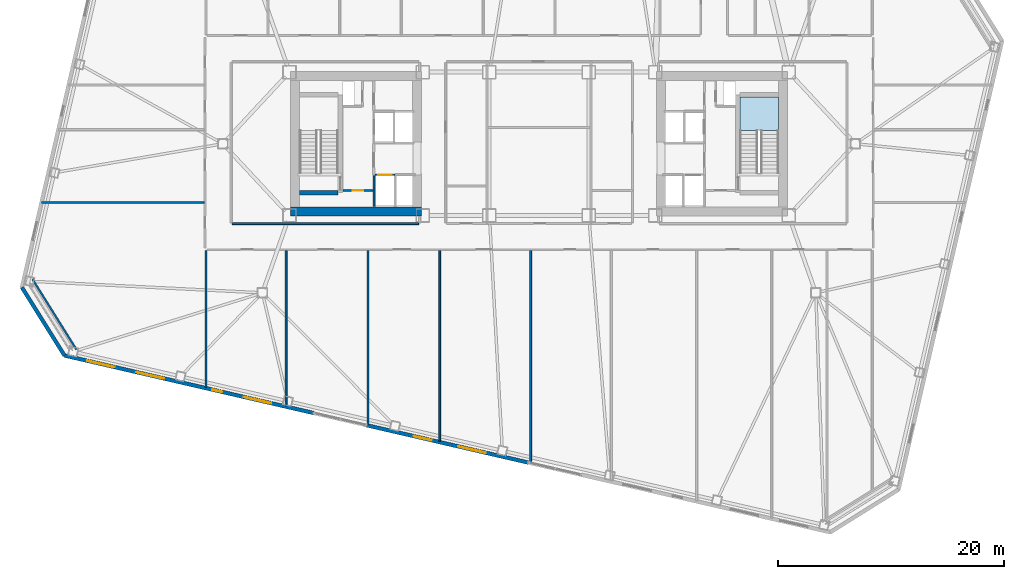
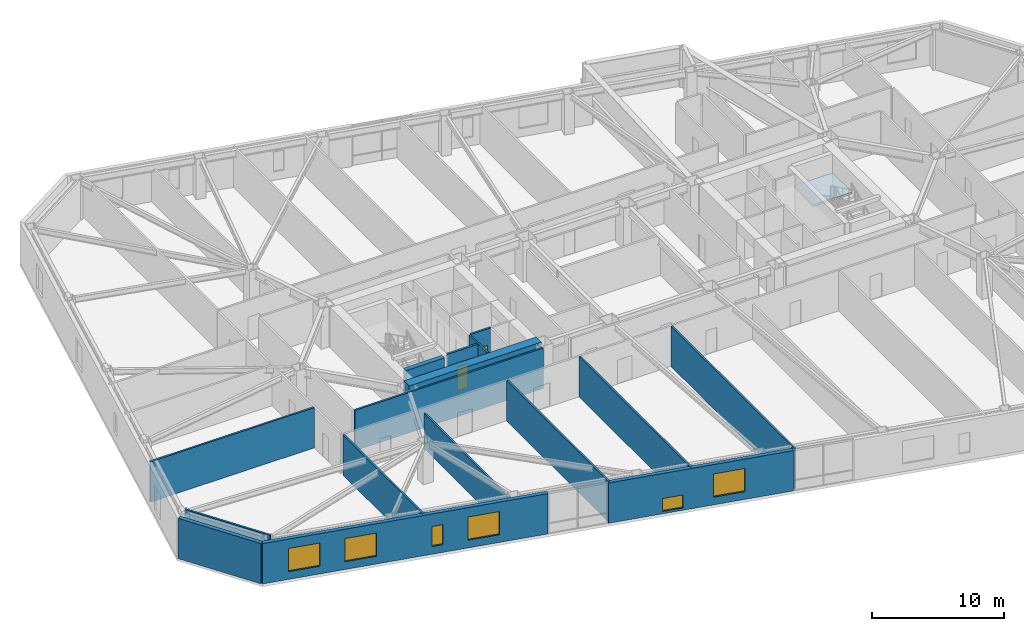
# One storey, part 10 of 20: 16 walls, 6 windows, 2 doors, 1 slab, 8 openings, 1 element without a shape of its own.
"""IFC4 building model written with IfcOpenShell, lengths in metres."""

from ifc_helpers import new_model, si_unit, direction, frame, frame_2d, origin, place, context, subcontext, project, spatial, polyline, rectangle, outline, extrude, material, layer, layer_set, type_object, element, fill, aggregate, save


model = new_model("IFC4")

# Units and contexts
model_context = context("Model", 3, precision=1e-05, world=origin(), true_north=direction((0.0, 1.0)))
body_context = subcontext(model_context, "Body", "Model", "MODEL_VIEW")
ifc_project = project(units=[si_unit("LENGTHUNIT", "METRE"), si_unit("AREAUNIT", "SQUARE_METRE"), si_unit("VOLUMEUNIT", "CUBIC_METRE"), si_unit("PLANEANGLEUNIT", "RADIAN"), si_unit("MASSUNIT", "GRAM", prefix="KILO")], contexts=[model_context])

# Site, building, storey
site_placement = place(None, origin())
site = spatial("IfcSite", under=ifc_project, at=site_placement, CompositionType="ELEMENT")
building_placement = place(site_placement, origin())
building = spatial("IfcBuilding", under=site, at=building_placement, Name="Tavrogorsk Clinical Tower", CompositionType="ELEMENT")
storey_placement = place(building_placement, frame((0.0, 0.0, 67.39990234375)))
storey = spatial("IfcBuildingStorey", under=building, at=storey_placement, Name="L14", CompositionType="ELEMENT", Elevation=67.39990234375)

# Stair, slab
ifc_material_1 = material(Name="Concrete B60", Category="concrete")
stair_type = type_object("IfcStairType", Name="CoreStairAssembly", PredefinedType="HALF_TURN_STAIR", material=ifc_material_1)
stair_placement = place(storey_placement, origin())
stair = element("IfcStair", 1, at=stair_placement, inside=storey, type_object=stair_type, Name="L14 ST-E", PredefinedType="HALF_TURN_STAIR")
ifc_material_2 = material(Name="Concrete B60", Category="concrete")
ifc_layer_1 = layer(ifc_material_2, 0.199951171875)
ifc_layer_set_1 = layer_set([ifc_layer_1], Name="Concrete B60")
slab_type = type_object("IfcSlabType", Name="StairLanding_200", PredefinedType="LANDING", material=ifc_layer_set_1)
slab_placement = place(storey_placement, frame((0.0, 0.0, 1.800048828125)))
slab = element("IfcSlab", 2, at=slab_placement, type_object=slab_type, Name="ST-E landing 1", PredefinedType="LANDING", context=body_context, shape_type="SweptSolid", body=[
    extrude(outline(polyline([(21.199951171875, 1.1650390625), (21.199951171875, 4.125), (17.800048828125, 4.125), (17.800048828125, 1.1650390625), (21.199951171875, 1.1650390625)])), origin(), (0.0, 0.0, 1.0), 0.199951171875),
])
aggregate(stair, [slab])

# Wall, opening, door
ifc_material_3 = material(Name="Concrete B60", Category="concrete")
ifc_layer_2 = layer(ifc_material_3, 0.199951171875)
ifc_layer_set_2 = layer_set([ifc_layer_2], Name="Concrete B60")
wall_type_1 = type_object("IfcWallType", Name="CoreFireWall_200", PredefinedType="SOLIDWALL", material=ifc_layer_set_2)
wall_1_placement = place(storey_placement, frame((-17.3798828125, -4.139892578125, 0.0), z_axis=(0.0, 0.0, 1.0), x_axis=(1.0, 0.0, 0.0)))
wall_1 = element("IfcWall", 3, at=wall_1_placement, inside=storey, type_object=wall_type_1, Name="L14 Core West South Core Room Fire Wall", PredefinedType="SOLIDWALL", context=body_context, shape_type="SweptSolid", body=[
    extrude(rectangle(XDim=2.659912109375, YDim=0.199951171875, at=frame_2d((1.330078125, 0.0))), origin(), (0.0, 0.0, 1.0), 3.739990234375),
])
opening_1_placement = place(wall_1_placement, frame((0.8798828125, 0.0, 0.0)))
opening_1 = element("IfcOpeningElement", 4, at=opening_1_placement, cuts=wall_1, Name="Opening ID-02", PredefinedType="OPENING", context=body_context, shape_type="SweptSolid", body=[
    extrude(rectangle(XDim=0.949951171875, YDim=2.199951171875, at=frame_2d((0.47509765625, 1.10009765625))), frame((0.0, 0.10986328125, 0.0), z_axis=(0.0, -1.0, 0.0), x_axis=(1.0, 0.0, 0.0)), (0.0, 0.0, 1.0), 0.219970703125),
])
ifc_material_4 = material(Name="Laminated timber leaf on aluminium frame", Category="wood")
door_type_1 = type_object("IfcDoorType", Name="InteriorDoor_ID02_950", OperationType="NOTDEFINED", PredefinedType="DOOR", material=ifc_material_4)
door_1_placement = place(opening_1_placement, origin())
door_1 = element("IfcDoor", 5, at=door_1_placement, inside=storey, type_object=door_type_1, Name="L14 Core West South Core Room Door", OperationType="SINGLE_SWING_RIGHT", OverallHeight=2.199951171875, OverallWidth=0.949951171875, PredefinedType="DOOR", context=body_context, shape_type="SweptSolid", body=[
    extrude(rectangle(XDim=0.949951171875, YDim=2.199951171875, at=frame_2d((0.47509765625, 1.10009765625))), frame((0.0, 0.02490234375, 0.0), z_axis=(0.0, -1.0, 0.0), x_axis=(1.0, 0.0, 0.0)), (0.0, 0.0, 1.0), 0.050048828125),
])
fill(opening_1, door_1)

# Walls
ifc_material_5 = material(Name="Lightweight concrete blockwork B15", Category="masonry")
ifc_layer_3 = layer(ifc_material_5, 0.159912109375)
ifc_layer_set_3 = layer_set([ifc_layer_3], Name="Lightweight concrete blockwork B15")
wall_type_2 = type_object("IfcWallType", Name="PartitionWall_160", PredefinedType="PARTITIONING", material=ifc_layer_set_3)
wall_2_placement = place(storey_placement, frame((-44.85986328125, -11.9892578125, 0.0), z_axis=(0.0, 0.0, 1.0), x_axis=(0.52991239767, -0.848052386823, 0.0)))
element("IfcWall", 6, at=wall_2_placement, inside=storey, type_object=wall_type_2, Name="L14 Corner Exoskeleton Brace Furring Wall 4", PredefinedType="PARTITIONING", context=body_context, shape_type="SweptSolid", body=[
    extrude(rectangle(XDim=7.35400390625, YDim=0.159912109375, at=frame_2d((3.677001953125, 0.0))), origin(), (0.0, 0.0, 1.0), 3.739990234375),
])
wall_3_placement = place(storey_placement, frame((-27.18505859375, -7.070068359375, 0.0), z_axis=(0.0, 0.0, 1.0), x_axis=(1.0, 0.0, 0.0)))
element("IfcWall", 7, at=wall_3_placement, inside=storey, type_object=wall_type_2, Name="L14 Corridor Partition 22", PredefinedType="PARTITIONING", context=body_context, shape_type="SweptSolid", body=[
    extrude(rectangle(XDim=16.52001953125, YDim=0.159912109375, at=frame_2d((8.260009765625, 0.0))), origin(), (0.0, 0.0, 1.0), 3.739990234375),
])
wall_4_placement = place(storey_placement, frame((-29.5, -21.570556640625, 0.0), z_axis=(0.0, 0.0, 1.0), x_axis=(0.0, 1.0, 0.0)))
element("IfcWall", 8, at=wall_4_placement, inside=storey, type_object=wall_type_2, Name="L14 SW Wing Closure Partition", PredefinedType="PARTITIONING", context=body_context, shape_type="SweptSolid", body=[
    extrude(rectangle(XDim=12.10546875, YDim=0.159912109375, at=frame_2d((6.052734375, 0.0))), origin(), (0.0, 0.0, 1.0), 3.739990234375),
])
wall_5_placement = place(storey_placement, frame((-22.39990234375, -23.209716796875, 0.0), z_axis=(0.0, 0.0, 1.0), x_axis=(0.0, 1.0, 0.0)))
element("IfcWall", 9, at=wall_5_placement, inside=storey, type_object=wall_type_2, Name="L14 South Room Partition 1", PredefinedType="PARTITIONING", context=body_context, shape_type="SweptSolid", body=[
    extrude(rectangle(XDim=13.74462890625, YDim=0.159912109375, at=frame_2d((6.872314453125, 0.0))), origin(), (0.0, 0.0, 1.0), 3.235107421875),
])
wall_6_placement = place(storey_placement, frame((-8.800048828125, -26.349609375, 0.0), z_axis=(0.0, 0.0, 1.0), x_axis=(0.0, 1.0, 0.0)))
element("IfcWall", 10, at=wall_6_placement, inside=storey, type_object=wall_type_2, Name="L14 South Room Partition 2", PredefinedType="PARTITIONING", context=body_context, shape_type="SweptSolid", body=[
    extrude(rectangle(XDim=16.884521484375, YDim=0.159912109375, at=frame_2d((8.4423828125, 0.0))), origin(), (0.0, 0.0, 1.0), 3.739990234375),
])
wall_7_placement = place(storey_placement, frame((-15.14990234375, -24.883544921875, 0.0), z_axis=(0.0, 0.0, 1.0), x_axis=(0.0, 1.0, 0.0)))
element("IfcWall", 11, at=wall_7_placement, inside=storey, type_object=wall_type_2, Name="L14 South Sub-Partition 2", PredefinedType="PARTITIONING", context=body_context, shape_type="SweptSolid", body=[
    extrude(rectangle(XDim=15.41845703125, YDim=0.159912109375, at=frame_2d((7.709228515625, 0.0))), origin(), (0.0, 0.0, 1.0), 3.739990234375),
])
wall_8_placement = place(storey_placement, frame((-0.75, -28.2080078125, 0.0), z_axis=(0.0, 0.0, 1.0), x_axis=(0.0, 1.0, 0.0)))
element("IfcWall", 12, at=wall_8_placement, inside=storey, type_object=wall_type_2, Name="L14 South Sub-Partition 3", PredefinedType="PARTITIONING", context=body_context, shape_type="SweptSolid", body=[
    extrude(rectangle(XDim=18.742919921875, YDim=0.159912109375, at=frame_2d((9.37158203125, 0.0))), origin(), (0.0, 0.0, 1.0), 3.739990234375),
])
wall_9_placement = place(storey_placement, frame((-44.0419921875, -5.199951171875, 0.0), z_axis=(0.0, 0.0, 1.0), x_axis=(1.0, 0.0, 0.0)))
element("IfcWall", 13, at=wall_9_placement, inside=storey, type_object=wall_type_2, Name="L14 W Wing Divider 1", PredefinedType="PARTITIONING", context=body_context, shape_type="SweptSolid", body=[
    extrude(rectangle(XDim=14.376953125, YDim=0.159912109375, at=frame_2d((7.1884765625, 0.0))), origin(), (0.0, 0.0, 1.0), 3.739990234375),
])

# Wall, openings, windows
ifc_material_6 = material(Name="Precast concrete B45 with limestone cladding", Category="masonry")
ifc_layer_4 = layer(ifc_material_6, 0.340087890625)
ifc_layer_set_4 = layer_set([ifc_layer_4], Name="Precast concrete B45 with limestone cladding")
wall_type_3 = type_object("IfcWallType", Name="PrecastLimestoneWall_340", PredefinedType="STANDARD", material=ifc_layer_set_4)
wall_10_placement = place(storey_placement, frame((-42.028564453125, -18.75, 0.0), z_axis=(0.0, 0.0, 1.0), x_axis=(0.97436993772, -0.224951604723, 0.0)))
wall_10 = element("IfcWall", 14, at=wall_10_placement, inside=storey, type_object=wall_type_3, Name="L14 S Limestone Facade Wall 1", PredefinedType="STANDARD", context=body_context, shape_type="SweptSolid", body=[
    extrude(rectangle(XDim=22.6513671875, YDim=0.340087890625, at=frame_2d((11.32568359375, 0.0))), origin(), (0.0, 0.0, 1.0), 3.739990234375),
])
opening_2_placement = place(wall_10_placement, frame((2.06201171875, 0.0, 0.719970703125)))
opening_2 = element("IfcOpeningElement", 15, at=opening_2_placement, cuts=wall_10, Name="Opening WN-11", PredefinedType="OPENING", context=body_context, shape_type="SweptSolid", body=[
    extrude(rectangle(XDim=2.5, YDim=2.14990234375, at=frame_2d((1.25, 1.074951171875))), frame((0.0, 0.179931640625, 0.0), z_axis=(0.0, -1.0, 0.0), x_axis=(1.0, 0.0, 0.0)), (0.0, 0.0, 1.0), 0.360107421875),
])
opening_3_placement = place(wall_10_placement, frame((6.54638671875, 0.0, 0.719970703125)))
opening_3 = element("IfcOpeningElement", 16, at=opening_3_placement, cuts=wall_10, Name="Opening WN-11", PredefinedType="OPENING", context=body_context, shape_type="SweptSolid", body=[
    extrude(rectangle(XDim=2.5, YDim=2.14990234375, at=frame_2d((1.25, 1.074951171875))), frame((0.0, 0.179931640625, 0.0), z_axis=(0.0, -1.0, 0.0), x_axis=(1.0, 0.0, 0.0)), (0.0, 0.0, 1.0), 0.360107421875),
])
opening_4_placement = place(wall_10_placement, frame((13.460693359375, 0.0, 0.719970703125)))
opening_4 = element("IfcOpeningElement", 17, at=opening_4_placement, cuts=wall_10, Name="Opening WN-06", PredefinedType="OPENING", context=body_context, shape_type="SweptSolid", body=[
    extrude(rectangle(XDim=0.85009765625, YDim=1.85009765625, at=frame_2d((0.425048828125, 0.925048828125))), frame((0.0, 0.179931640625, 0.0), z_axis=(0.0, -1.0, 0.0), x_axis=(1.0, 0.0, 0.0)), (0.0, 0.0, 1.0), 0.360107421875),
])
opening_5_placement = place(wall_10_placement, frame((16.294921875, 0.0, 0.719970703125)))
opening_5 = element("IfcOpeningElement", 18, at=opening_5_placement, cuts=wall_10, Name="Opening WN-11", PredefinedType="OPENING", context=body_context, shape_type="SweptSolid", body=[
    extrude(rectangle(XDim=2.5, YDim=2.14990234375, at=frame_2d((1.25, 1.074951171875))), frame((0.0, 0.179931640625, 0.0), z_axis=(0.0, -1.0, 0.0), x_axis=(1.0, 0.0, 0.0)), (0.0, 0.0, 1.0), 0.360107421875),
])
ifc_material_7 = material(Name="Thermally broken aluminium frame and triple IGU", Category="aluminium")
window_type_1 = type_object("IfcWindowType", Name="MullionSubWin_850x1850", PartitioningType="SINGLE_PANEL", PredefinedType="WINDOW", material=ifc_material_7)
window_1_placement = place(opening_4_placement, origin())
window_1 = element("IfcWindow", 19, at=window_1_placement, inside=storey, type_object=window_type_1, Name="L14 S Mullion Split Window 03B", OverallHeight=1.85009765625, OverallWidth=0.85009765625, PartitioningType="SINGLE_PANEL", PredefinedType="WINDOW", context=body_context, shape_type="SweptSolid", body=[
    extrude(rectangle(XDim=0.85009765625, YDim=1.85009765625, at=frame_2d((0.425048828125, 0.925048828125))), frame((0.0, 0.030029296875, 0.0), z_axis=(0.0, -1.0, 0.0), x_axis=(1.0, 0.0, 0.0)), (0.0, 0.0, 1.0), 0.06005859375),
])
fill(opening_4, window_1)
ifc_material_8 = material(Name="Thermally broken aluminium frame and triple IGU", Category="aluminium")
window_type_2 = type_object("IfcWindowType", Name="StepDownWin_2500x2150", PartitioningType="TRIPLE_PANEL_HORIZONTAL", PredefinedType="WINDOW", material=ifc_material_8)
window_2_placement = place(opening_2_placement, origin())
window_2 = element("IfcWindow", 20, at=window_2_placement, inside=storey, type_object=window_type_2, Name="L14 S Chicago Window 01", OverallHeight=2.14990234375, OverallWidth=2.5, PartitioningType="SINGLE_PANEL", PredefinedType="WINDOW", context=body_context, shape_type="SweptSolid", body=[
    extrude(rectangle(XDim=2.5, YDim=2.14990234375, at=frame_2d((1.25, 1.074951171875))), frame((0.0, 0.030029296875, 0.0), z_axis=(0.0, -1.0, 0.0), x_axis=(1.0, 0.0, 0.0)), (0.0, 0.0, 1.0), 0.06005859375),
])
fill(opening_2, window_2)
window_3_placement = place(opening_3_placement, origin())
window_3 = element("IfcWindow", 21, at=window_3_placement, inside=storey, type_object=window_type_2, Name="L14 S Chicago Window 02", OverallHeight=2.14990234375, OverallWidth=2.5, PartitioningType="SINGLE_PANEL", PredefinedType="WINDOW", context=body_context, shape_type="SweptSolid", body=[
    extrude(rectangle(XDim=2.5, YDim=2.14990234375, at=frame_2d((1.25, 1.074951171875))), frame((0.0, 0.030029296875, 0.0), z_axis=(0.0, -1.0, 0.0), x_axis=(1.0, 0.0, 0.0)), (0.0, 0.0, 1.0), 0.06005859375),
])
fill(opening_3, window_3)
window_4_placement = place(opening_5_placement, origin())
window_4 = element("IfcWindow", 22, at=window_4_placement, inside=storey, type_object=window_type_2, Name="L14 S Chicago Window 04", OverallHeight=2.14990234375, OverallWidth=2.5, PartitioningType="SINGLE_PANEL", PredefinedType="WINDOW", context=body_context, shape_type="SweptSolid", body=[
    extrude(rectangle(XDim=2.5, YDim=2.14990234375, at=frame_2d((1.25, 1.074951171875))), frame((0.0, 0.030029296875, 0.0), z_axis=(0.0, -1.0, 0.0), x_axis=(1.0, 0.0, 0.0)), (0.0, 0.0, 1.0), 0.06005859375),
])
fill(opening_5, window_4)

wall_11_placement = place(storey_placement, frame((-15.28076171875, -24.925048828125, 0.0), z_axis=(0.0, 0.0, 1.0), x_axis=(0.974370193991, -0.22495049469, 0.0)))
wall_11 = element("IfcWall", 23, at=wall_11_placement, inside=storey, type_object=wall_type_3, Name="L14 S Limestone Facade Wall 2", PredefinedType="STANDARD", context=body_context, shape_type="SweptSolid", body=[
    extrude(rectangle(XDim=14.697265625, YDim=0.340087890625, at=frame_2d((7.3486328125, 0.0))), origin(), (0.0, 0.0, 1.0), 3.739990234375),
])
opening_6_placement = place(wall_11_placement, frame((4.306396484375, 0.0, 0.219970703125)))
opening_6 = element("IfcOpeningElement", 24, at=opening_6_placement, cuts=wall_11, Name="Opening WN-09", PredefinedType="OPENING", context=body_context, shape_type="SweptSolid", body=[
    extrude(rectangle(XDim=1.60009765625, YDim=1.199951171875, at=frame_2d((0.800048828125, 0.60009765625))), frame((0.0, 0.179931640625, 0.0), z_axis=(0.0, -1.0, 0.0), x_axis=(1.0, 0.0, 0.0)), (0.0, 0.0, 1.0), 0.360107421875),
])
opening_7_placement = place(wall_11_placement, frame((8.3408203125, 0.0, 0.719970703125)))
opening_7 = element("IfcOpeningElement", 25, at=opening_7_placement, cuts=wall_11, Name="Opening WN-11", PredefinedType="OPENING", context=body_context, shape_type="SweptSolid", body=[
    extrude(rectangle(XDim=2.5, YDim=2.14990234375, at=frame_2d((1.25, 1.074951171875))), frame((0.0, 0.179931640625, 0.0), z_axis=(0.0, -1.0, 0.0), x_axis=(1.0, 0.0, 0.0)), (0.0, 0.0, 1.0), 0.360107421875),
])
ifc_material_9 = material(Name="Thermally broken aluminium frame and triple IGU", Category="aluminium")
window_type_3 = type_object("IfcWindowType", Name="LowHeadTransWin_1600x1200", PartitioningType="DOUBLE_PANEL_VERTICAL", PredefinedType="WINDOW", material=ifc_material_9)
window_5_placement = place(opening_6_placement, origin())
window_5 = element("IfcWindow", 26, at=window_5_placement, inside=storey, type_object=window_type_3, Name="L14 S Chicago Window 05", OverallHeight=1.199951171875, OverallWidth=1.60009765625, PartitioningType="SINGLE_PANEL", PredefinedType="WINDOW", context=body_context, shape_type="SweptSolid", body=[
    extrude(rectangle(XDim=1.60009765625, YDim=1.199951171875, at=frame_2d((0.800048828125, 0.60009765625))), frame((0.0, 0.030029296875, 0.0), z_axis=(0.0, -1.0, 0.0), x_axis=(1.0, 0.0, 0.0)), (0.0, 0.0, 1.0), 0.06005859375),
])
fill(opening_6, window_5)
window_6_placement = place(opening_7_placement, origin())
window_6 = element("IfcWindow", 27, at=window_6_placement, inside=storey, type_object=window_type_2, Name="L14 S Chicago Window 06", OverallHeight=2.14990234375, OverallWidth=2.5, PartitioningType="SINGLE_PANEL", PredefinedType="WINDOW", context=body_context, shape_type="SweptSolid", body=[
    extrude(rectangle(XDim=2.5, YDim=2.14990234375, at=frame_2d((1.25, 1.074951171875))), frame((0.0, 0.030029296875, 0.0), z_axis=(0.0, -1.0, 0.0), x_axis=(1.0, 0.0, 0.0)), (0.0, 0.0, 1.0), 0.06005859375),
])
fill(opening_7, window_6)

# Wall
wall_12_placement = place(storey_placement, frame((-45.798095703125, -12.71728515625, 0.0), z_axis=(0.0, 0.0, 1.0), x_axis=(0.529906387556, -0.848056142261, 0.0)))
element("IfcWall", 28, at=wall_12_placement, inside=storey, type_object=wall_type_3, Name="L14 Chamfered Corner Wall 4", PredefinedType="STANDARD", context=body_context, shape_type="SweptSolid", body=[
    extrude(rectangle(XDim=7.113525390625, YDim=0.340087890625, at=frame_2d((3.556640625, 0.0))), origin(), (0.0, 0.0, 1.0), 3.739990234375),
])

# Wall, opening, door
ifc_material_10 = material(Name="Lightweight concrete blockwork B25", Category="masonry")
ifc_layer_5 = layer(ifc_material_10, 0.159912109375)
ifc_layer_set_5 = layer_set([ifc_layer_5], Name="Lightweight concrete blockwork B25")
wall_type_4 = type_object("IfcWallType", Name="ShaftWall_160", PredefinedType="PARTITIONING", material=ifc_layer_set_5)
wall_13_placement = place(storey_placement, frame((-14.530029296875, -2.75, 0.0), z_axis=(0.0, 0.0, 1.0), x_axis=(1.0, 0.0, 0.0)))
wall_13 = element("IfcWall", 29, at=wall_13_placement, inside=storey, type_object=wall_type_4, Name="L14 LP-L1 Lift Shaft Portal Wall", PredefinedType="PARTITIONING", context=body_context, shape_type="SweptSolid", body=[
    extrude(rectangle(XDim=1.760009765625, YDim=0.159912109375, at=frame_2d((0.8798828125, 0.0))), origin(), (0.0, 0.0, 1.0), 3.739990234375),
])
opening_8_placement = place(wall_13_placement, frame((0.280029296875, 0.0, 0.0)))
opening_8 = element("IfcOpeningElement", 30, at=opening_8_placement, cuts=wall_13, Name="Opening LD", PredefinedType="OPENING", context=body_context, shape_type="SweptSolid", body=[
    extrude(rectangle(XDim=1.199951171875, YDim=2.199951171875, at=frame_2d((0.60009765625, 1.10009765625))), frame((0.0, 0.08984375, 0.0), z_axis=(0.0, -1.0, 0.0), x_axis=(1.0, 0.0, 0.0)), (0.0, 0.0, 1.0), 0.179931640625),
])
ifc_material_11 = material(Name="Brushed stainless steel AISI 304 sliding doors", Category="steel")
door_type_2 = type_object("IfcDoorType", Name="LiftLandingDoor_LD_1200", OperationType="SLIDING_TO_LEFT", PredefinedType="DOOR", material=ifc_material_11)
door_2_placement = place(opening_8_placement, origin())
door_2 = element("IfcDoor", 31, at=door_2_placement, inside=storey, type_object=door_type_2, Name="L14 LP-L1 Sliding Lift Landing Door", OperationType="SLIDING_TO_LEFT", OverallHeight=2.199951171875, OverallWidth=1.199951171875, PredefinedType="DOOR", context=body_context, shape_type="SweptSolid", body=[
    extrude(rectangle(XDim=1.199951171875, YDim=2.199951171875, at=frame_2d((0.60009765625, 1.10009765625))), frame((0.0, 0.02490234375, 0.0), z_axis=(0.0, -1.0, 0.0), x_axis=(1.0, 0.0, 0.0)), (0.0, 0.0, 1.0), 0.050048828125),
])
fill(opening_8, door_2)

# Walls
wall_14_placement = place(storey_placement, frame((-14.610107421875, -5.5400390625, 0.0), z_axis=(0.0, 0.0, 1.0), x_axis=(0.0, 1.0, 0.0)))
element("IfcWall", 32, at=wall_14_placement, inside=storey, type_object=wall_type_4, Name="L14 LP-L1 Lift Hoistway Outer Cheek Wall", PredefinedType="PARTITIONING", context=body_context, shape_type="SweptSolid", body=[
    extrude(rectangle(XDim=2.699951171875, YDim=0.159912109375, at=frame_2d((1.35009765625, 0.0))), origin(), (0.0, 0.0, 1.0), 3.739990234375),
])
ifc_material_12 = material(Name="Concrete B80", Category="concrete")
ifc_layer_6 = layer(ifc_material_12, 0.39990234375)
ifc_layer_set_6 = layer_set([ifc_layer_6], Name="Concrete B80")
wall_type_5 = type_object("IfcWallType", Name="ShearWall_400", PredefinedType="SHEAR", material=ifc_layer_set_6)
wall_15_placement = place(storey_placement, frame((-21.199951171875, -4.324951171875, 0.0), z_axis=(0.0, 0.0, 1.0), x_axis=(1.0, 0.0, 0.0)))
element("IfcWall", 33, at=wall_15_placement, inside=storey, type_object=wall_type_5, Name="L14 Core West Stair Shaft South Shear Wall", PredefinedType="SHEAR", context=body_context, shape_type="SweptSolid", body=[
    extrude(rectangle(XDim=3.39990234375, YDim=0.39990234375, at=frame_2d((1.699951171875, 0.0))), origin(), (0.0, 0.0, 1.0), 3.739990234375),
])
ifc_material_13 = material(Name="Concrete B80", Category="concrete")
ifc_layer_7 = layer(ifc_material_13, 0.800048828125)
ifc_layer_set_7 = layer_set([ifc_layer_7], Name="Concrete B80")
wall_type_6 = type_object("IfcWallType", Name="ShearWall_800", PredefinedType="SHEAR", material=ifc_layer_set_7)
wall_16_placement = place(storey_placement, frame((-22.0, -6.0, 0.0), z_axis=(0.0, 0.0, 1.0), x_axis=(1.0, 0.0, 0.0)))
element("IfcWall", 34, at=wall_16_placement, inside=storey, type_object=wall_type_6, Name="L14 Core West South Shear Wall", PredefinedType="SHEAR", context=body_context, shape_type="SweptSolid", body=[
    extrude(rectangle(XDim=11.60009765625, YDim=0.800048828125, at=frame_2d((5.800048828125, 0.0))), origin(), (0.0, 0.0, 1.0), 3.739990234375),
])

save(model, "model.ifc")
